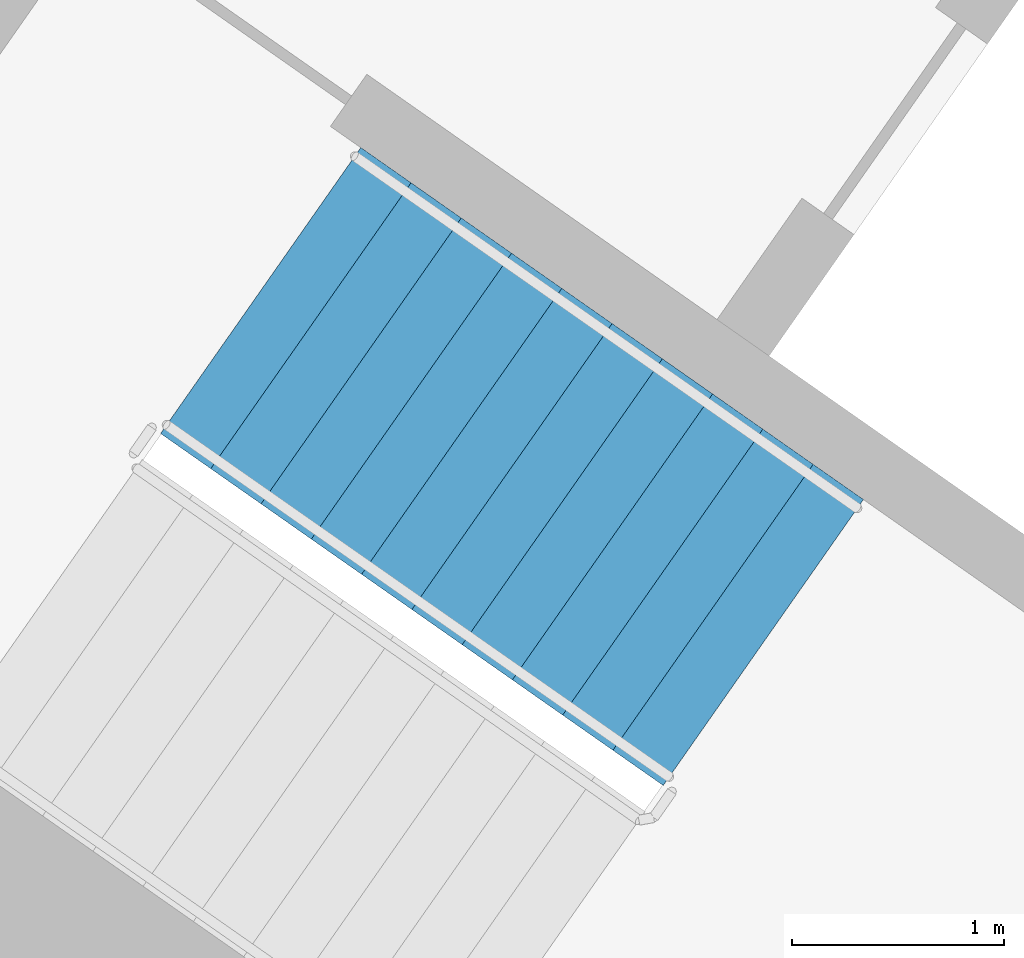
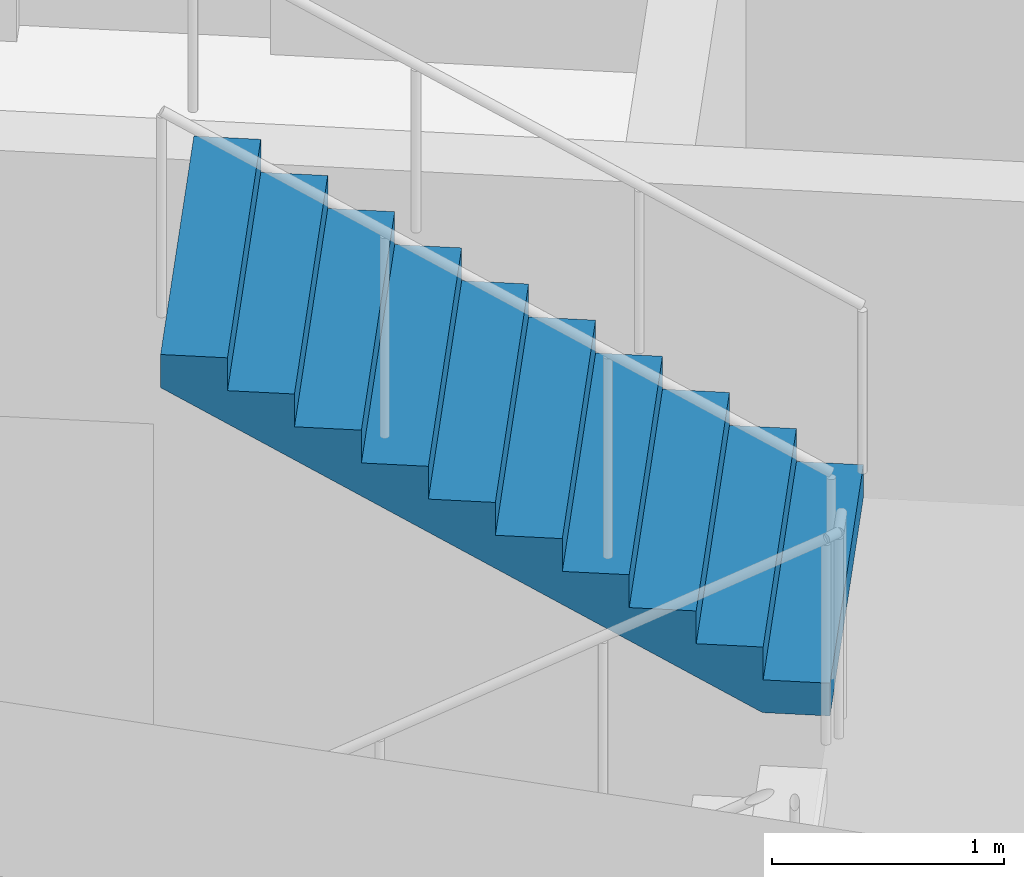
# One storey, part 12 of 31: 1 stair flight, 1 element without a shape of its own.
"""IFC4 building model written with IfcOpenShell, lengths in metres."""

from ifc_helpers import new_model, si_unit, direction, frame, origin, place, context, subcontext, project, spatial, faceted_brep, material, type_object, element, aggregate, save


model = new_model("IFC4")

# Units and contexts
model_context = context("Model", 3, precision=1e-05, world=origin(), true_north=direction((0.0, 1.0)))
body_context = subcontext(model_context, "Body", "Model", "MODEL_VIEW")
ifc_project = project(units=[si_unit("LENGTHUNIT", "METRE"), si_unit("AREAUNIT", "SQUARE_METRE"), si_unit("VOLUMEUNIT", "CUBIC_METRE"), si_unit("PLANEANGLEUNIT", "RADIAN"), si_unit("MASSUNIT", "GRAM", prefix="KILO")], contexts=[model_context])

# Site, building, storey
site_placement = place(None, origin())
site = spatial("IfcSite", under=ifc_project, at=site_placement, CompositionType="ELEMENT")
building_placement = place(site_placement, origin())
building = spatial("IfcBuilding", under=site, at=building_placement, Name="Qamariyya Broadcast Tower", CompositionType="ELEMENT")
storey_placement = place(building_placement, frame((0.0, 0.0, 74.699951171875)))
storey = spatial("IfcBuildingStorey", under=building, at=storey_placement, Name="L15", CompositionType="ELEMENT", Elevation=74.699951171875)

# Stair, stair flight
ifc_material = material(Name="Concrete C50/60", Category="concrete")
stair_type = type_object("IfcStairType", Name="Exit stair 22 risers of 173 mm", PredefinedType="HALF_TURN_STAIR", material=ifc_material)
stair_placement = place(storey_placement, origin())
stair = element("IfcStair", 1, at=stair_placement, inside=storey, type_object=stair_type, Name="L15 Stair W1", PredefinedType="HALF_TURN_STAIR")
stair_flight_type = type_object("IfcStairFlightType", Name="Exit stair flight 11 risers of 173 mm", PredefinedType="STRAIGHT", material=ifc_material)
stair_flight_placement = place(storey_placement, frame((-43.660888671875, -57.17138671875, 1.900146484375), z_axis=(0.0, 0.0, 1.0), x_axis=(-0.819152044289, 0.573576436351, 0.0)))
stair_flight = element("IfcStairFlight", 2, at=stair_flight_placement, type_object=stair_flight_type, Name="ST-W1 flight 2", NumberOfRisers=11, NumberOfTreads=10, PredefinedType="STRAIGHT", RiserHeight=0.172727273, TreadLength=0.29, context=body_context, shape_type="Brep", body=[
    faceted_brep([(0.0, 0.824951171875, 0.0), (0.0, 0.824951171875, 0.172607421875), (0.2900390625, 0.824951171875, 0.172607421875), (0.2900390625, 0.824951171875, 0.345458984375), (0.580078125, 0.824951171875, 0.345458984375), (0.580078125, 0.824951171875, 0.51806640625), (0.8701171875, 0.824951171875, 0.51806640625), (0.8701171875, 0.824951171875, 0.69091796875), (1.159912109375, 0.824951171875, 0.69091796875), (1.159912109375, 0.824951171875, 0.863525390625), (1.449951171875, 0.824951171875, 0.863525390625), (1.449951171875, 0.824951171875, 1.036376953125), (1.739990234375, 0.824951171875, 1.036376953125), (1.739990234375, 0.824951171875, 1.208984375), (2.030029296875, 0.824951171875, 1.208984375), (2.030029296875, 0.824951171875, 1.3818359375), (2.320068359375, 0.824951171875, 1.3818359375), (2.320068359375, 0.824951171875, 1.554443359375), (2.610107421875, 0.824951171875, 1.554443359375), (2.610107421875, 0.824951171875, 1.727294921875), (2.89990234375, 0.824951171875, 1.727294921875), (2.89990234375, 0.824951171875, 1.552734375), (0.29296875, 0.824951171875, 0.0), (0.29296875, -0.824951171875, 0.0), (2.89990234375, -0.824951171875, 1.552734375), (2.89990234375, -0.824951171875, 1.727294921875), (2.610107421875, -0.824951171875, 1.727294921875), (2.610107421875, -0.824951171875, 1.554443359375), (2.320068359375, -0.824951171875, 1.554443359375), (2.320068359375, -0.824951171875, 1.3818359375), (2.030029296875, -0.824951171875, 1.3818359375), (2.030029296875, -0.824951171875, 1.208984375), (1.739990234375, -0.824951171875, 1.208984375), (1.739990234375, -0.824951171875, 1.036376953125), (1.449951171875, -0.824951171875, 1.036376953125), (1.449951171875, -0.824951171875, 0.863525390625), (1.159912109375, -0.824951171875, 0.863525390625), (1.159912109375, -0.824951171875, 0.69091796875), (0.8701171875, -0.824951171875, 0.69091796875), (0.8701171875, -0.824951171875, 0.51806640625), (0.580078125, -0.824951171875, 0.51806640625), (0.580078125, -0.824951171875, 0.345458984375), (0.2900390625, -0.824951171875, 0.345458984375), (0.2900390625, -0.824951171875, 0.172607421875), (0.0, -0.824951171875, 0.172607421875), (0.0, -0.824951171875, 0.0), (0.0, 0.10009765625, 0.0), (0.0, 0.086669921875, 0.0), (0.0, 0.0732421875, 0.0), (0.0, 0.06005859375, 0.0), (0.0, 0.046630859375, 0.0), (0.0, 0.033447265625, 0.0), (0.0, 0.02001953125, 0.0), (0.0, 0.006591796875, 0.0), (0.0, -0.006591796875, 0.0), (0.0, -0.02001953125, 0.0), (0.0, -0.033447265625, 0.0), (0.0, -0.046630859375, 0.0), (0.0, -0.06005859375, 0.0), (0.0, -0.0732421875, 0.0), (0.0, -0.086669921875, 0.0), (0.0, -0.10009765625, 0.0), (0.0, -0.10009765625, 0.172607421875), (0.0, -0.086669921875, 0.172607421875), (0.0, -0.0732421875, 0.172607421875), (0.0, -0.06005859375, 0.172607421875), (0.0, -0.046630859375, 0.172607421875), (0.0, -0.033447265625, 0.172607421875), (0.0, -0.02001953125, 0.172607421875), (0.0, -0.006591796875, 0.172607421875), (0.0, 0.006591796875, 0.172607421875), (0.0, 0.02001953125, 0.172607421875), (0.0, 0.033447265625, 0.172607421875), (0.0, 0.046630859375, 0.172607421875), (0.0, 0.06005859375, 0.172607421875), (0.0, 0.0732421875, 0.172607421875), (0.0, 0.086669921875, 0.172607421875), (0.0, 0.10009765625, 0.172607421875), (0.2900390625, -0.10009765625, 0.172607421875), (0.2900390625, -0.086669921875, 0.172607421875), (0.2900390625, -0.0732421875, 0.172607421875), (0.2900390625, -0.06005859375, 0.172607421875), (0.2900390625, -0.046630859375, 0.172607421875), (0.2900390625, -0.033447265625, 0.172607421875), (0.2900390625, -0.02001953125, 0.172607421875), (0.2900390625, -0.006591796875, 0.172607421875), (0.2900390625, 0.006591796875, 0.172607421875), (0.2900390625, 0.02001953125, 0.172607421875), (0.2900390625, 0.033447265625, 0.172607421875), (0.2900390625, 0.046630859375, 0.172607421875), (0.2900390625, 0.06005859375, 0.172607421875), (0.2900390625, 0.0732421875, 0.172607421875), (0.2900390625, 0.086669921875, 0.172607421875), (0.2900390625, 0.10009765625, 0.172607421875), (0.2900390625, -0.10009765625, 0.345458984375), (0.2900390625, -0.086669921875, 0.345458984375), (0.2900390625, -0.0732421875, 0.345458984375), (0.2900390625, -0.06005859375, 0.345458984375), (0.2900390625, -0.046630859375, 0.345458984375), (0.2900390625, -0.033447265625, 0.345458984375), (0.2900390625, -0.02001953125, 0.345458984375), (0.2900390625, -0.006591796875, 0.345458984375), (0.2900390625, 0.006591796875, 0.345458984375), (0.2900390625, 0.02001953125, 0.345458984375), (0.2900390625, 0.033447265625, 0.345458984375), (0.2900390625, 0.046630859375, 0.345458984375), (0.2900390625, 0.06005859375, 0.345458984375), (0.2900390625, 0.0732421875, 0.345458984375), (0.2900390625, 0.086669921875, 0.345458984375), (0.2900390625, 0.10009765625, 0.345458984375), (0.580078125, -0.10009765625, 0.345458984375), (0.580078125, -0.086669921875, 0.345458984375), (0.580078125, -0.0732421875, 0.345458984375), (0.580078125, -0.06005859375, 0.345458984375), (0.580078125, -0.046630859375, 0.345458984375), (0.580078125, -0.033447265625, 0.345458984375), (0.580078125, -0.02001953125, 0.345458984375), (0.580078125, -0.006591796875, 0.345458984375), (0.580078125, 0.006591796875, 0.345458984375), (0.580078125, 0.02001953125, 0.345458984375), (0.580078125, 0.033447265625, 0.345458984375), (0.580078125, 0.046630859375, 0.345458984375), (0.580078125, 0.06005859375, 0.345458984375), (0.580078125, 0.0732421875, 0.345458984375), (0.580078125, 0.086669921875, 0.345458984375), (0.580078125, 0.10009765625, 0.345458984375), (0.580078125, -0.10009765625, 0.51806640625), (0.580078125, -0.086669921875, 0.51806640625), (0.580078125, -0.0732421875, 0.51806640625), (0.580078125, -0.06005859375, 0.51806640625), (0.580078125, -0.046630859375, 0.51806640625), (0.580078125, -0.033447265625, 0.51806640625), (0.580078125, -0.02001953125, 0.51806640625), (0.580078125, -0.006591796875, 0.51806640625), (0.580078125, 0.006591796875, 0.51806640625), (0.580078125, 0.02001953125, 0.51806640625), (0.580078125, 0.033447265625, 0.51806640625), (0.580078125, 0.046630859375, 0.51806640625), (0.580078125, 0.06005859375, 0.51806640625), (0.580078125, 0.0732421875, 0.51806640625), (0.580078125, 0.086669921875, 0.51806640625), (0.580078125, 0.10009765625, 0.51806640625), (0.8701171875, -0.10009765625, 0.51806640625), (0.8701171875, -0.086669921875, 0.51806640625), (0.8701171875, -0.0732421875, 0.51806640625), (0.8701171875, -0.06005859375, 0.51806640625), (0.8701171875, -0.046630859375, 0.51806640625), (0.8701171875, -0.033447265625, 0.51806640625), (0.8701171875, -0.02001953125, 0.51806640625), (0.8701171875, -0.006591796875, 0.51806640625), (0.8701171875, 0.006591796875, 0.51806640625), (0.8701171875, 0.02001953125, 0.51806640625), (0.8701171875, 0.033447265625, 0.51806640625), (0.8701171875, 0.046630859375, 0.51806640625), (0.8701171875, 0.06005859375, 0.51806640625), (0.8701171875, 0.0732421875, 0.51806640625), (0.8701171875, 0.086669921875, 0.51806640625), (0.8701171875, 0.10009765625, 0.51806640625), (0.8701171875, -0.10009765625, 0.69091796875), (0.8701171875, -0.086669921875, 0.69091796875), (0.8701171875, -0.0732421875, 0.69091796875), (0.8701171875, -0.06005859375, 0.69091796875), (0.8701171875, -0.046630859375, 0.69091796875), (0.8701171875, -0.033447265625, 0.69091796875), (0.8701171875, -0.02001953125, 0.69091796875), (0.8701171875, -0.006591796875, 0.69091796875), (0.8701171875, 0.006591796875, 0.69091796875), (0.8701171875, 0.02001953125, 0.69091796875), (0.8701171875, 0.033447265625, 0.69091796875), (0.8701171875, 0.046630859375, 0.69091796875), (0.8701171875, 0.06005859375, 0.69091796875), (0.8701171875, 0.0732421875, 0.69091796875), (0.8701171875, 0.086669921875, 0.69091796875), (0.8701171875, 0.10009765625, 0.69091796875), (1.159912109375, -0.10009765625, 0.69091796875), (1.159912109375, -0.086669921875, 0.69091796875), (1.159912109375, -0.0732421875, 0.69091796875), (1.159912109375, -0.06005859375, 0.69091796875), (1.159912109375, -0.046630859375, 0.69091796875), (1.159912109375, -0.033447265625, 0.69091796875), (1.159912109375, -0.02001953125, 0.69091796875), (1.159912109375, -0.006591796875, 0.69091796875), (1.159912109375, 0.006591796875, 0.69091796875), (1.159912109375, 0.02001953125, 0.69091796875), (1.159912109375, 0.033447265625, 0.69091796875), (1.159912109375, 0.046630859375, 0.69091796875), (1.159912109375, 0.06005859375, 0.69091796875), (1.159912109375, 0.0732421875, 0.69091796875), (1.159912109375, 0.086669921875, 0.69091796875), (1.159912109375, 0.10009765625, 0.69091796875), (1.159912109375, -0.10009765625, 0.863525390625), (1.159912109375, -0.086669921875, 0.863525390625), (1.159912109375, -0.0732421875, 0.863525390625), (1.159912109375, -0.06005859375, 0.863525390625), (1.159912109375, -0.046630859375, 0.863525390625), (1.159912109375, -0.033447265625, 0.863525390625), (1.159912109375, -0.02001953125, 0.863525390625), (1.159912109375, -0.006591796875, 0.863525390625), (1.159912109375, 0.006591796875, 0.863525390625), (1.159912109375, 0.02001953125, 0.863525390625), (1.159912109375, 0.033447265625, 0.863525390625), (1.159912109375, 0.046630859375, 0.863525390625), (1.159912109375, 0.06005859375, 0.863525390625), (1.159912109375, 0.0732421875, 0.863525390625), (1.159912109375, 0.086669921875, 0.863525390625), (1.159912109375, 0.10009765625, 0.863525390625), (1.449951171875, -0.10009765625, 0.863525390625), (1.449951171875, -0.086669921875, 0.863525390625), (1.449951171875, -0.0732421875, 0.863525390625), (1.449951171875, -0.06005859375, 0.863525390625), (1.449951171875, -0.046630859375, 0.863525390625), (1.449951171875, -0.033447265625, 0.863525390625), (1.449951171875, -0.02001953125, 0.863525390625), (1.449951171875, -0.006591796875, 0.863525390625), (1.449951171875, 0.006591796875, 0.863525390625), (1.449951171875, 0.02001953125, 0.863525390625), (1.449951171875, 0.033447265625, 0.863525390625), (1.449951171875, 0.046630859375, 0.863525390625), (1.449951171875, 0.06005859375, 0.863525390625), (1.449951171875, 0.0732421875, 0.863525390625), (1.449951171875, 0.086669921875, 0.863525390625), (1.449951171875, 0.10009765625, 0.863525390625), (1.449951171875, -0.10009765625, 1.036376953125), (1.449951171875, -0.086669921875, 1.036376953125), (1.449951171875, -0.0732421875, 1.036376953125), (1.449951171875, -0.06005859375, 1.036376953125), (1.449951171875, -0.046630859375, 1.036376953125), (1.449951171875, -0.033447265625, 1.036376953125), (1.449951171875, -0.02001953125, 1.036376953125), (1.449951171875, -0.006591796875, 1.036376953125), (1.449951171875, 0.006591796875, 1.036376953125), (1.449951171875, 0.02001953125, 1.036376953125), (1.449951171875, 0.033447265625, 1.036376953125), (1.449951171875, 0.046630859375, 1.036376953125), (1.449951171875, 0.06005859375, 1.036376953125), (1.449951171875, 0.0732421875, 1.036376953125), (1.449951171875, 0.086669921875, 1.036376953125), (1.449951171875, 0.10009765625, 1.036376953125), (1.739990234375, -0.10009765625, 1.036376953125), (1.739990234375, -0.086669921875, 1.036376953125), (1.739990234375, -0.0732421875, 1.036376953125), (1.739990234375, -0.06005859375, 1.036376953125), (1.739990234375, -0.046630859375, 1.036376953125), (1.739990234375, -0.033447265625, 1.036376953125), (1.739990234375, -0.02001953125, 1.036376953125), (1.739990234375, -0.006591796875, 1.036376953125), (1.739990234375, 0.006591796875, 1.036376953125), (1.739990234375, 0.02001953125, 1.036376953125), (1.739990234375, 0.033447265625, 1.036376953125), (1.739990234375, 0.046630859375, 1.036376953125), (1.739990234375, 0.06005859375, 1.036376953125), (1.739990234375, 0.0732421875, 1.036376953125), (1.739990234375, 0.086669921875, 1.036376953125), (1.739990234375, 0.10009765625, 1.036376953125), (1.739990234375, -0.10009765625, 1.208984375), (1.739990234375, -0.086669921875, 1.208984375), (1.739990234375, -0.0732421875, 1.208984375), (1.739990234375, -0.06005859375, 1.208984375), (1.739990234375, -0.046630859375, 1.208984375), (1.739990234375, -0.033447265625, 1.208984375), (1.739990234375, -0.02001953125, 1.208984375), (1.739990234375, -0.006591796875, 1.208984375), (1.739990234375, 0.006591796875, 1.208984375), (1.739990234375, 0.02001953125, 1.208984375), (1.739990234375, 0.033447265625, 1.208984375), (1.739990234375, 0.046630859375, 1.208984375), (1.739990234375, 0.06005859375, 1.208984375), (1.739990234375, 0.0732421875, 1.208984375), (1.739990234375, 0.086669921875, 1.208984375), (1.739990234375, 0.10009765625, 1.208984375), (2.030029296875, -0.10009765625, 1.208984375), (2.030029296875, -0.086669921875, 1.208984375), (2.030029296875, -0.0732421875, 1.208984375), (2.030029296875, -0.06005859375, 1.208984375), (2.030029296875, -0.046630859375, 1.208984375), (2.030029296875, -0.033447265625, 1.208984375), (2.030029296875, -0.02001953125, 1.208984375), (2.030029296875, -0.006591796875, 1.208984375), (2.030029296875, 0.006591796875, 1.208984375), (2.030029296875, 0.02001953125, 1.208984375), (2.030029296875, 0.033447265625, 1.208984375), (2.030029296875, 0.046630859375, 1.208984375), (2.030029296875, 0.06005859375, 1.208984375), (2.030029296875, 0.0732421875, 1.208984375), (2.030029296875, 0.086669921875, 1.208984375), (2.030029296875, 0.10009765625, 1.208984375), (2.030029296875, -0.10009765625, 1.3818359375), (2.030029296875, -0.086669921875, 1.3818359375), (2.030029296875, -0.0732421875, 1.3818359375), (2.030029296875, -0.06005859375, 1.3818359375), (2.030029296875, -0.046630859375, 1.3818359375), (2.030029296875, -0.033447265625, 1.3818359375), (2.030029296875, -0.02001953125, 1.3818359375), (2.030029296875, -0.006591796875, 1.3818359375), (2.030029296875, 0.006591796875, 1.3818359375), (2.030029296875, 0.02001953125, 1.3818359375), (2.030029296875, 0.033447265625, 1.3818359375), (2.030029296875, 0.046630859375, 1.3818359375), (2.030029296875, 0.06005859375, 1.3818359375), (2.030029296875, 0.0732421875, 1.3818359375), (2.030029296875, 0.086669921875, 1.3818359375), (2.030029296875, 0.10009765625, 1.3818359375), (2.320068359375, -0.10009765625, 1.3818359375), (2.320068359375, -0.086669921875, 1.3818359375), (2.320068359375, -0.0732421875, 1.3818359375), (2.320068359375, -0.06005859375, 1.3818359375), (2.320068359375, -0.046630859375, 1.3818359375), (2.320068359375, -0.033447265625, 1.3818359375), (2.320068359375, -0.02001953125, 1.3818359375), (2.320068359375, -0.006591796875, 1.3818359375), (2.320068359375, 0.006591796875, 1.3818359375), (2.320068359375, 0.02001953125, 1.3818359375), (2.320068359375, 0.033447265625, 1.3818359375), (2.320068359375, 0.046630859375, 1.3818359375), (2.320068359375, 0.06005859375, 1.3818359375), (2.320068359375, 0.0732421875, 1.3818359375), (2.320068359375, 0.086669921875, 1.3818359375), (2.320068359375, 0.10009765625, 1.3818359375), (2.320068359375, -0.10009765625, 1.554443359375), (2.320068359375, -0.086669921875, 1.554443359375), (2.320068359375, -0.0732421875, 1.554443359375), (2.320068359375, -0.06005859375, 1.554443359375), (2.320068359375, -0.046630859375, 1.554443359375), (2.320068359375, -0.033447265625, 1.554443359375), (2.320068359375, -0.02001953125, 1.554443359375), (2.320068359375, -0.006591796875, 1.554443359375), (2.320068359375, 0.006591796875, 1.554443359375), (2.320068359375, 0.02001953125, 1.554443359375), (2.320068359375, 0.033447265625, 1.554443359375), (2.320068359375, 0.046630859375, 1.554443359375), (2.320068359375, 0.06005859375, 1.554443359375), (2.320068359375, 0.0732421875, 1.554443359375), (2.320068359375, 0.086669921875, 1.554443359375), (2.320068359375, 0.10009765625, 1.554443359375), (2.610107421875, -0.10009765625, 1.554443359375), (2.610107421875, -0.086669921875, 1.554443359375), (2.610107421875, -0.0732421875, 1.554443359375), (2.610107421875, -0.06005859375, 1.554443359375), (2.610107421875, -0.046630859375, 1.554443359375), (2.610107421875, -0.033447265625, 1.554443359375), (2.610107421875, -0.02001953125, 1.554443359375), (2.610107421875, -0.006591796875, 1.554443359375), (2.610107421875, 0.006591796875, 1.554443359375), (2.610107421875, 0.02001953125, 1.554443359375), (2.610107421875, 0.033447265625, 1.554443359375), (2.610107421875, 0.046630859375, 1.554443359375), (2.610107421875, 0.06005859375, 1.554443359375), (2.610107421875, 0.0732421875, 1.554443359375), (2.610107421875, 0.086669921875, 1.554443359375), (2.610107421875, 0.10009765625, 1.554443359375), (2.610107421875, -0.10009765625, 1.727294921875), (2.610107421875, -0.086669921875, 1.727294921875), (2.610107421875, -0.0732421875, 1.727294921875), (2.610107421875, -0.06005859375, 1.727294921875), (2.610107421875, -0.046630859375, 1.727294921875), (2.610107421875, -0.033447265625, 1.727294921875), (2.610107421875, -0.02001953125, 1.727294921875), (2.610107421875, -0.006591796875, 1.727294921875), (2.610107421875, 0.006591796875, 1.727294921875), (2.610107421875, 0.02001953125, 1.727294921875), (2.610107421875, 0.033447265625, 1.727294921875), (2.610107421875, 0.046630859375, 1.727294921875), (2.610107421875, 0.06005859375, 1.727294921875), (2.610107421875, 0.0732421875, 1.727294921875), (2.610107421875, 0.086669921875, 1.727294921875), (2.610107421875, 0.10009765625, 1.727294921875), (2.89990234375, -0.10009765625, 1.727294921875), (2.89990234375, -0.086669921875, 1.727294921875), (2.89990234375, -0.0732421875, 1.727294921875), (2.89990234375, -0.06005859375, 1.727294921875), (2.89990234375, -0.046630859375, 1.727294921875), (2.89990234375, -0.033447265625, 1.727294921875), (2.89990234375, -0.02001953125, 1.727294921875), (2.89990234375, -0.006591796875, 1.727294921875), (2.89990234375, 0.006591796875, 1.727294921875), (2.89990234375, 0.02001953125, 1.727294921875), (2.89990234375, 0.033447265625, 1.727294921875), (2.89990234375, 0.046630859375, 1.727294921875), (2.89990234375, 0.06005859375, 1.727294921875), (2.89990234375, 0.0732421875, 1.727294921875), (2.89990234375, 0.086669921875, 1.727294921875), (2.89990234375, 0.10009765625, 1.727294921875), (2.89990234375, -0.10009765625, 1.552734375), (2.89990234375, -0.086669921875, 1.552734375), (2.89990234375, -0.0732421875, 1.552734375), (2.89990234375, -0.06005859375, 1.552734375), (2.89990234375, -0.046630859375, 1.552734375), (2.89990234375, -0.033447265625, 1.552734375), (2.89990234375, -0.02001953125, 1.552734375), (2.89990234375, -0.006591796875, 1.552734375), (2.89990234375, 0.006591796875, 1.552734375), (2.89990234375, 0.02001953125, 1.552734375), (2.89990234375, 0.033447265625, 1.552734375), (2.89990234375, 0.046630859375, 1.552734375), (2.89990234375, 0.06005859375, 1.552734375), (2.89990234375, 0.0732421875, 1.552734375), (2.89990234375, 0.086669921875, 1.552734375), (2.89990234375, 0.10009765625, 1.552734375), (0.29296875, -0.10009765625, 0.0), (0.29296875, -0.086669921875, 0.0), (0.29296875, -0.0732421875, 0.0), (0.29296875, -0.06005859375, 0.0), (0.29296875, -0.046630859375, 0.0), (0.29296875, -0.033447265625, 0.0), (0.29296875, -0.02001953125, 0.0), (0.29296875, -0.006591796875, 0.0), (0.29296875, 0.006591796875, 0.0), (0.29296875, 0.02001953125, 0.0), (0.29296875, 0.033447265625, 0.0), (0.29296875, 0.046630859375, 0.0), (0.29296875, 0.06005859375, 0.0), (0.29296875, 0.0732421875, 0.0), (0.29296875, 0.086669921875, 0.0), (0.29296875, 0.10009765625, 0.0)], [[[0, 1, 2, 3, 4, 5, 6, 7, 8, 9, 10, 11, 12, 13, 14, 15, 16, 17, 18, 19, 20, 21, 22]], [[23, 24, 25, 26, 27, 28, 29, 30, 31, 32, 33, 34, 35, 36, 37, 38, 39, 40, 41, 42, 43, 44, 45]], [[0, 46, 47, 48, 49, 50, 51, 52, 53, 54, 55, 56, 57, 58, 59, 60, 61, 45, 44, 62, 63, 64, 65, 66, 67, 68, 69, 70, 71, 72, 73, 74, 75, 76, 77, 1]], [[1, 77, 76, 75, 74, 73, 72, 71, 70, 69, 68, 67, 66, 65, 64, 63, 62, 44, 43, 78, 79, 80, 81, 82, 83, 84, 85, 86, 87, 88, 89, 90, 91, 92, 93, 2]], [[2, 93, 92, 91, 90, 89, 88, 87, 86, 85, 84, 83, 82, 81, 80, 79, 78, 43, 42, 94, 95, 96, 97, 98, 99, 100, 101, 102, 103, 104, 105, 106, 107, 108, 109, 3]], [[3, 109, 108, 107, 106, 105, 104, 103, 102, 101, 100, 99, 98, 97, 96, 95, 94, 42, 41, 110, 111, 112, 113, 114, 115, 116, 117, 118, 119, 120, 121, 122, 123, 124, 125, 4]], [[4, 125, 124, 123, 122, 121, 120, 119, 118, 117, 116, 115, 114, 113, 112, 111, 110, 41, 40, 126, 127, 128, 129, 130, 131, 132, 133, 134, 135, 136, 137, 138, 139, 140, 141, 5]], [[5, 141, 140, 139, 138, 137, 136, 135, 134, 133, 132, 131, 130, 129, 128, 127, 126, 40, 39, 142, 143, 144, 145, 146, 147, 148, 149, 150, 151, 152, 153, 154, 155, 156, 157, 6]], [[6, 157, 156, 155, 154, 153, 152, 151, 150, 149, 148, 147, 146, 145, 144, 143, 142, 39, 38, 158, 159, 160, 161, 162, 163, 164, 165, 166, 167, 168, 169, 170, 171, 172, 173, 7]], [[7, 173, 172, 171, 170, 169, 168, 167, 166, 165, 164, 163, 162, 161, 160, 159, 158, 38, 37, 174, 175, 176, 177, 178, 179, 180, 181, 182, 183, 184, 185, 186, 187, 188, 189, 8]], [[8, 189, 188, 187, 186, 185, 184, 183, 182, 181, 180, 179, 178, 177, 176, 175, 174, 37, 36, 190, 191, 192, 193, 194, 195, 196, 197, 198, 199, 200, 201, 202, 203, 204, 205, 9]], [[9, 205, 204, 203, 202, 201, 200, 199, 198, 197, 196, 195, 194, 193, 192, 191, 190, 36, 35, 206, 207, 208, 209, 210, 211, 212, 213, 214, 215, 216, 217, 218, 219, 220, 221, 10]], [[10, 221, 220, 219, 218, 217, 216, 215, 214, 213, 212, 211, 210, 209, 208, 207, 206, 35, 34, 222, 223, 224, 225, 226, 227, 228, 229, 230, 231, 232, 233, 234, 235, 236, 237, 11]], [[11, 237, 236, 235, 234, 233, 232, 231, 230, 229, 228, 227, 226, 225, 224, 223, 222, 34, 33, 238, 239, 240, 241, 242, 243, 244, 245, 246, 247, 248, 249, 250, 251, 252, 253, 12]], [[12, 253, 252, 251, 250, 249, 248, 247, 246, 245, 244, 243, 242, 241, 240, 239, 238, 33, 32, 254, 255, 256, 257, 258, 259, 260, 261, 262, 263, 264, 265, 266, 267, 268, 269, 13]], [[13, 269, 268, 267, 266, 265, 264, 263, 262, 261, 260, 259, 258, 257, 256, 255, 254, 32, 31, 270, 271, 272, 273, 274, 275, 276, 277, 278, 279, 280, 281, 282, 283, 284, 285, 14]], [[14, 285, 284, 283, 282, 281, 280, 279, 278, 277, 276, 275, 274, 273, 272, 271, 270, 31, 30, 286, 287, 288, 289, 290, 291, 292, 293, 294, 295, 296, 297, 298, 299, 300, 301, 15]], [[15, 301, 300, 299, 298, 297, 296, 295, 294, 293, 292, 291, 290, 289, 288, 287, 286, 30, 29, 302, 303, 304, 305, 306, 307, 308, 309, 310, 311, 312, 313, 314, 315, 316, 317, 16]], [[16, 317, 316, 315, 314, 313, 312, 311, 310, 309, 308, 307, 306, 305, 304, 303, 302, 29, 28, 318, 319, 320, 321, 322, 323, 324, 325, 326, 327, 328, 329, 330, 331, 332, 333, 17]], [[17, 333, 332, 331, 330, 329, 328, 327, 326, 325, 324, 323, 322, 321, 320, 319, 318, 28, 27, 334, 335, 336, 337, 338, 339, 340, 341, 342, 343, 344, 345, 346, 347, 348, 349, 18]], [[18, 349, 348, 347, 346, 345, 344, 343, 342, 341, 340, 339, 338, 337, 336, 335, 334, 27, 26, 350, 351, 352, 353, 354, 355, 356, 357, 358, 359, 360, 361, 362, 363, 364, 365, 19]], [[19, 365, 364, 363, 362, 361, 360, 359, 358, 357, 356, 355, 354, 353, 352, 351, 350, 26, 25, 366, 367, 368, 369, 370, 371, 372, 373, 374, 375, 376, 377, 378, 379, 380, 381, 20]], [[20, 381, 380, 379, 378, 377, 376, 375, 374, 373, 372, 371, 370, 369, 368, 367, 366, 25, 24, 382, 383, 384, 385, 386, 387, 388, 389, 390, 391, 392, 393, 394, 395, 396, 397, 21]], [[21, 397, 396, 395, 394, 393, 392, 391, 390, 389, 388, 387, 386, 385, 384, 383, 382, 24, 23, 398, 399, 400, 401, 402, 403, 404, 405, 406, 407, 408, 409, 410, 411, 412, 413, 22]], [[22, 413, 412, 411, 410, 409, 408, 407, 406, 405, 404, 403, 402, 401, 400, 399, 398, 23, 45, 61, 60, 59, 58, 57, 56, 55, 54, 53, 52, 51, 50, 49, 48, 47, 46, 0]]]),
])
aggregate(stair, [stair_flight])

save(model, "model.ifc")
